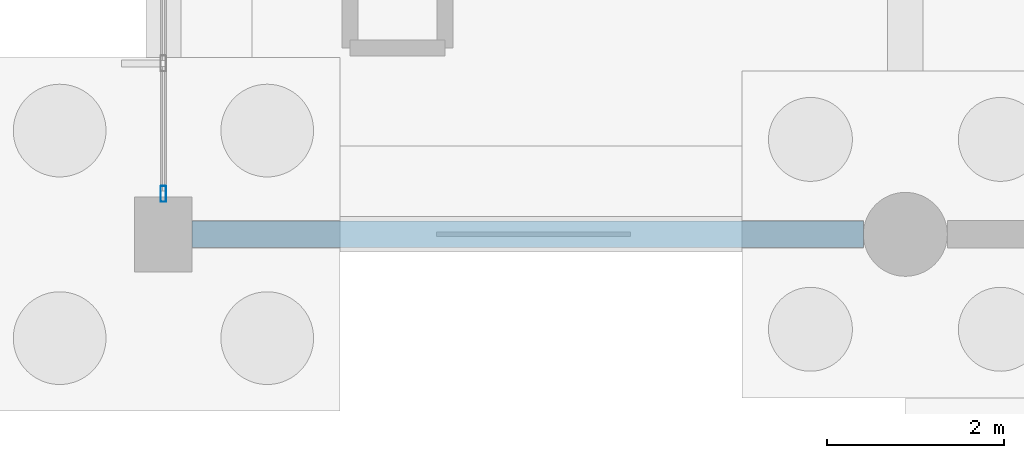
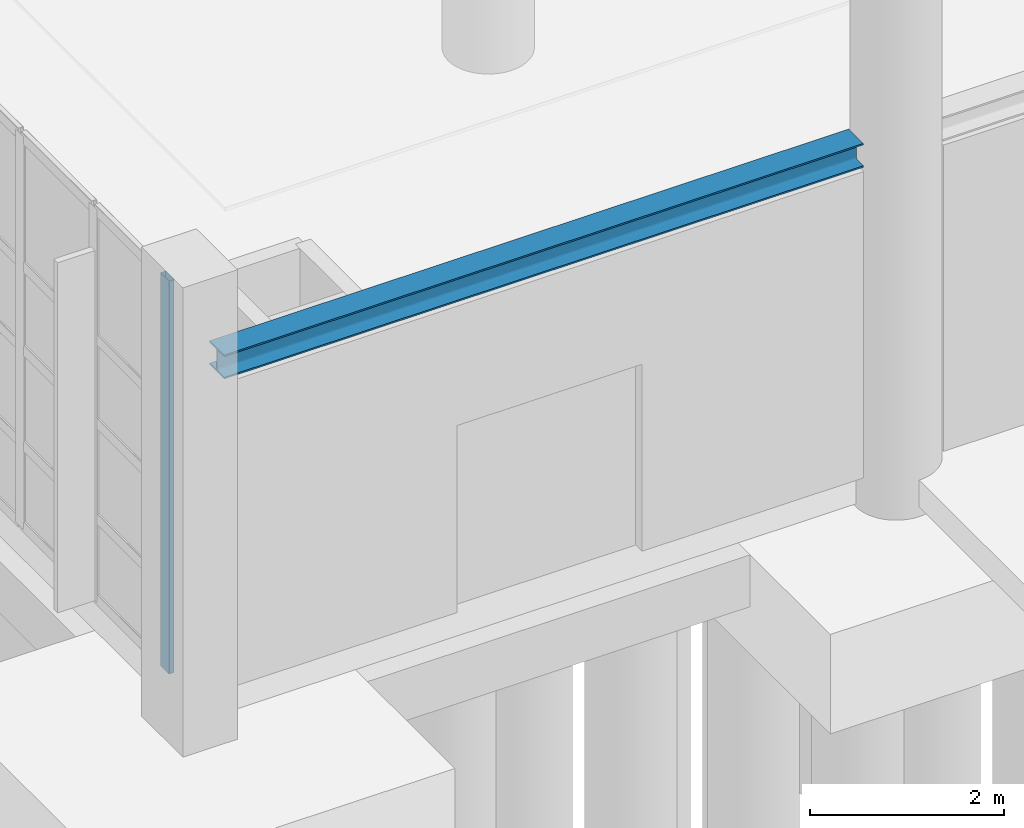
# One storey, part 14 of 83: 1 beam, 1 member, 1 element without a shape of its own.
"""IFC4 building model written with IfcOpenShell, lengths in metres."""

import ifcopenshell
import ifcopenshell.guid

model = None  # the IFC model being written
_history = None  # IfcOwnerHistory: only IFC2X3 demands one
_inside = {}  # id of a spatial element -> (the spatial element, [elements in it])
_under = {}  # id of a project, library or spatial element -> (it, [spatial elements below it])
_declared = {}  # id of a project -> (the project, [libraries it declares])
_typed = {}  # id of a type object -> (the type object, [elements of that type])
_made_of = {}  # id of a material, layer set ... -> (it, [elements and type objects made of it])


def new_model(schema):
    """Start an empty IFC model of exactly this schema.

    Asked for "IFC4X3", IfcOpenShell would pick the latest addendum, in which some entities
    have other attributes; the version numbers below select the first issue.
    IFC2X3 requires an IfcOwnerHistory on every rooted entity: one is made here for all.
    """
    global model, _history
    if schema == "IFC4X3":
        model = ifcopenshell.file(schema_version=(4, 3, 0, 0))
    else:
        model = ifcopenshell.file(schema=schema)
    _inside.clear()
    _under.clear()
    _declared.clear()
    _typed.clear()
    _made_of.clear()
    _history = None
    if model.schema == "IFC2X3":
        org = make("IfcOrganization", Name="unknown")
        user = make(
            "IfcPersonAndOrganization",
            ThePerson=make("IfcPerson", FamilyName="unknown"),
            TheOrganization=org,
        )
        app = make(
            "IfcApplication",
            ApplicationDeveloper=org,
            Version="unknown",
            ApplicationFullName="unknown",
            ApplicationIdentifier="unknown",
        )
        _history = make(
            "IfcOwnerHistory",
            OwningUser=user,
            OwningApplication=app,
            ChangeAction="ADDED",
            CreationDate=0,
        )
    return model


def make(cls, **values):
    """One entity of the class cls with the attributes given. An attribute that is None is left unset."""
    return model.create_entity(
        cls, **{name: value for name, value in values.items() if value is not None}
    )


def rooted(cls, **values):
    """An entity with a GlobalId (a new one), such as an element, a storey or a relation."""
    return make(cls, GlobalId=ifcopenshell.guid.new(), OwnerHistory=_history, **values)


def si_unit(unit_type, name, prefix=None):
    """IfcSIUnit, for example si_unit("LENGTHUNIT", "METRE", prefix="MILLI")."""
    return make("IfcSIUnit", UnitType=unit_type, Prefix=prefix, Name=name)


def assignment(units):
    """IfcUnitAssignment: the units of a project."""
    return None if units is None else make("IfcUnitAssignment", Units=units)


def point(xyz):
    """IfcCartesianPoint."""
    return None if xyz is None else make("IfcCartesianPoint", Coordinates=xyz)


def direction(xyz):
    """IfcDirection."""
    return None if xyz is None else make("IfcDirection", DirectionRatios=xyz)


def frame(location, z_axis=None, x_axis=None):
    """IfcAxis2Placement3D, a coordinate frame: its origin and axes. An axis left out is left unset."""
    return make(
        "IfcAxis2Placement3D",
        Location=point(location),
        Axis=direction(z_axis),
        RefDirection=direction(x_axis),
    )


def frame_2d(location, x_axis=None):
    """IfcAxis2Placement2D, a coordinate frame in the plane: its origin and x axis."""
    return make(
        "IfcAxis2Placement2D", Location=point(location), RefDirection=direction(x_axis)
    )


def origin():
    """The frame at (0, 0, 0) with its axes left unset."""
    return frame((0.0, 0.0, 0.0))


def origin_2d():
    """The frame at (0, 0) in the plane with its x axis left unset."""
    return frame_2d((0.0, 0.0))


def place(relative_to, where):
    """IfcLocalPlacement: puts the frame where relative to a parent placement (None: the world)."""
    return make(
        "IfcLocalPlacement", PlacementRelTo=relative_to, RelativePlacement=where
    )


def context(
    kind, dimensions, precision=None, world=None, true_north=None, identifier=None
):
    """IfcGeometricRepresentationContext, for example the 3D "Model" context."""
    return make(
        "IfcGeometricRepresentationContext",
        ContextIdentifier=identifier,
        ContextType=kind,
        CoordinateSpaceDimension=dimensions,
        Precision=precision,
        WorldCoordinateSystem=world,
        TrueNorth=true_north,
    )


def subcontext(parent, identifier, kind, view, scale=None):
    """IfcGeometricRepresentationSubContext, for example "Body" below "Model"."""
    return make(
        "IfcGeometricRepresentationSubContext",
        ContextIdentifier=identifier,
        ContextType=kind,
        ParentContext=parent,
        TargetScale=scale,
        TargetView=view,
    )


def project(units=None, contexts=None):
    """IfcProject with its units and contexts."""
    return rooted(
        "IfcProject",
        Name="project",
        RepresentationContexts=contexts,
        UnitsInContext=assignment(units),
    )


def spatial(cls, under=None, at=None, **own):
    """A site, building, storey or space (cls), placed at a placement, below another one or the project."""
    s = rooted(cls, ObjectPlacement=at, **own)
    if under is not None:
        _under.setdefault(under.id(), (under, []))[1].append(s)
    return s


def profile(cls, at=None, kind="AREA", **sizes):
    """A parametric profile (cls). Its sizes go by their IFC names, for example OverallWidth=200.0."""
    return make(cls, ProfileType=kind, Position=at, **sizes)


def hollow_rectangle(**sizes):
    """IfcRectangleHollowProfileDef."""
    return profile("IfcRectangleHollowProfileDef", **sizes)


def i_section(**sizes):
    """IfcIShapeProfileDef."""
    return profile("IfcIShapeProfileDef", **sizes)


def extrude(swept, where, along, depth):
    """IfcExtrudedAreaSolid: the profile swept, set in the frame where, extruded along a direction by depth."""
    return make(
        "IfcExtrudedAreaSolid",
        SweptArea=swept,
        Position=where,
        ExtrudedDirection=direction(along),
        Depth=depth,
    )


def shape(context_of_items, identifier, shape_type, items):
    """IfcShapeRepresentation: the items that make up one representation, for example the "Body"."""
    return make(
        "IfcShapeRepresentation",
        ContextOfItems=context_of_items,
        RepresentationIdentifier=identifier,
        RepresentationType=shape_type,
        Items=items,
    )


def material(Name=None, Category=None):
    """IfcMaterial."""
    return make("IfcMaterial", Name=Name, Category=Category)


def layer(
    of_material, thickness, ventilated=None, Name=None, Category=None, Priority=None
):
    """IfcMaterialLayer: one layer of a wall or slab, of a material (None: an air gap)."""
    return make(
        "IfcMaterialLayer",
        Material=of_material,
        LayerThickness=thickness,
        IsVentilated=ventilated,
        Name=Name,
        Category=Category,
        Priority=Priority,
    )


def layer_set(layers, Name=None):
    """IfcMaterialLayerSet."""
    return make("IfcMaterialLayerSet", MaterialLayers=layers, LayerSetName=Name)


def material_profile(
    of_material, cross_section, Name=None, Category=None, Priority=None
):
    """IfcMaterialProfile: a cross section and its material."""
    return make(
        "IfcMaterialProfile",
        Name=Name,
        Material=of_material,
        Profile=cross_section,
        Priority=Priority,
        Category=Category,
    )


def profile_set(profiles, Name=None, composite=None):
    """IfcMaterialProfileSet."""
    return make(
        "IfcMaterialProfileSet",
        Name=Name,
        MaterialProfiles=profiles,
        CompositeProfile=composite,
    )


def made_of(thing, what):
    """Note that an element or type object is made of a material, layer set ...; save() writes the relation."""
    if what is not None:
        _made_of.setdefault(what.id(), (what, []))[1].append(thing)
    return thing


def type_object(cls, material=None, **own):
    """A type object (cls), such as IfcWallType, which elements share."""
    return made_of(rooted(cls, **own), material)


def element(
    cls,
    number,
    at=None,
    inside=None,
    cuts=None,
    type_object=None,
    material=None,
    context=None,
    identifier="Body",
    shape_type=None,
    held_by="IfcProductDefinitionShape",
    body=None,
    shapes=None,
    **own,
):
    """One element of the class cls, such as IfcWall. Its Tag is "e" and its number.

    at: its placement. inside: the storey or other place that contains it. cuts: it is an
    opening in that element (IfcRelVoidsElement). A single representation is given by context,
    identifier, shape_type and body (its items); several are given by shapes. held_by: the class
    of the entity that holds the representations. save() writes the other relations.
    """
    e = rooted(cls, Tag="e%d" % number, ObjectPlacement=at, **own)
    if body is not None:
        shapes = [shape(context, identifier, shape_type, body)]
    if shapes is not None:
        e.Representation = make(held_by, Representations=shapes)
    if inside is not None:
        _inside.setdefault(inside.id(), (inside, []))[1].append(e)
    if cuts is not None:
        rooted(
            "IfcRelVoidsElement", RelatingBuildingElement=cuts, RelatedOpeningElement=e
        )
    if type_object is not None:
        _typed.setdefault(type_object.id(), (type_object, []))[1].append(e)
    return made_of(e, material)


def aggregate(whole, parts):
    """IfcRelAggregates: a whole, such as a stair, and the parts it consists of."""
    return rooted("IfcRelAggregates", RelatingObject=whole, RelatedObjects=parts)


def save(model, path):
    """Write the relations noted so far, then the file.

    IfcRelAggregates (storeys below a building ...), IfcRelContainedInSpatialStructure (elements
    in a storey), IfcRelDefinesByType, IfcRelAssociatesMaterial and IfcRelDeclares: one each for
    every whole, place, type object, material and project.
    """
    for whole, parts in _under.values():
        aggregate(whole, parts)
    for where, things in _inside.values():
        rooted(
            "IfcRelContainedInSpatialStructure",
            RelatedElements=things,
            RelatingStructure=where,
        )
    for kind, things in _typed.values():
        rooted("IfcRelDefinesByType", RelatedObjects=things, RelatingType=kind)
    for what, things in _made_of.values():
        rooted("IfcRelAssociatesMaterial", RelatedObjects=things, RelatingMaterial=what)
    for by, libraries in _declared.values():
        rooted("IfcRelDeclares", RelatingContext=by, RelatedDefinitions=libraries)
    model.write(path)


model = new_model("IFC4")

# Units and contexts
model_context = context("Model", 3, precision=1e-05, world=origin(), true_north=direction((0.0, 1.0)))
body_context = subcontext(model_context, "Body", "Model", "MODEL_VIEW")
ifc_project = project(units=[si_unit("LENGTHUNIT", "METRE"), si_unit("AREAUNIT", "SQUARE_METRE"), si_unit("VOLUMEUNIT", "CUBIC_METRE"), si_unit("PLANEANGLEUNIT", "RADIAN"), si_unit("MASSUNIT", "GRAM", prefix="KILO"), si_unit("THERMODYNAMICTEMPERATUREUNIT", "KELVIN"), si_unit("POWERUNIT", "WATT")], contexts=[model_context])

# Site, building, storey
site_placement = place(None, origin())
site = spatial("IfcSite", under=ifc_project, at=site_placement, CompositionType="ELEMENT")
building_placement = place(site_placement, origin())
building = spatial("IfcBuilding", under=site, at=building_placement, Name="Mavoryth Pier Ferry Terminal", CompositionType="ELEMENT")
storey_placement = place(building_placement, origin())
storey = spatial("IfcBuildingStorey", under=building, at=storey_placement, Name="L00", CompositionType="ELEMENT", Elevation=0.0)

# Beam
ifc_material_1 = material(Name="Steel S355J2", Category="steel")
ifc_material_profile_1 = material_profile(ifc_material_1, i_section(OverallWidth=0.300048828125, OverallDepth=0.300048828125, WebThickness=0.010986328125, FlangeThickness=0.01904296875, FilletRadius=0.027099609375, at=origin_2d()), Name="HEB 300", Category="steel")
ifc_profile_set_1 = profile_set([ifc_material_profile_1], Name="Steel S355J2 - HEB 300")
beam_type = type_object("IfcBeamType", Name="Lintel-Steel-HEB300", PredefinedType="LINTEL", material=ifc_profile_set_1)
beam_placement = place(storey_placement, frame((0.324951171875, 22.0, 4.050048828125), z_axis=(1.0, 0.0, 0.0), x_axis=(0.0, 1.0, 0.0)))
element("IfcBeam", 1, at=beam_placement, inside=storey, type_object=beam_type, Name="Beam B00-LN01-1604", PredefinedType="LINTEL", context=body_context, shape_type="SweptSolid", body=[
    extrude(i_section(OverallWidth=0.300048828125, OverallDepth=0.300048828125, WebThickness=0.010986328125, FlangeThickness=0.01904296875, FilletRadius=0.027099609375, at=origin_2d()), origin(), (0.0, 0.0, 1.0), 7.60009765625),
])

# Curtain wall, member
ifc_material_2 = material(Name="Anodised Aluminium and Solar-Control Low-E Glass", Category="aluminium")
ifc_layer = layer(ifc_material_2, 0.179931640625, Name="Anodised Aluminium and Solar-Control Low-E Glass", Category="aluminium")
ifc_layer_set = layer_set([ifc_layer], Name="Anodised Aluminium and Solar-Control Low-E Glass - CW-Concourse-Mod1400")
curtain_wall_type = type_object("IfcCurtainWallType", Name="CW-Concourse-Mod1400", PredefinedType="USERDEFINED", material=ifc_layer_set)
curtain_wall_placement = place(storey_placement, origin())
curtain_wall = element("IfcCurtainWall", 2, at=curtain_wall_placement, inside=storey, type_object=curtain_wall_type, Name="Curtain Wall CW-0033-001", ObjectType="UNITISED CURTAIN WALL", PredefinedType="USERDEFINED")
ifc_material_3 = material(Name="Anodised Aluminium EN AW-6063", Category="aluminium")
ifc_material_profile_2 = material_profile(ifc_material_3, hollow_rectangle(XDim=0.06494140625, YDim=0.179931640625, WallThickness=0.00390625, InnerFilletRadius=0.00390625, OuterFilletRadius=0.008056640625, at=origin_2d()), Name="AL-MULL 180x65x4", Category="aluminium")
ifc_profile_set_2 = profile_set([ifc_material_profile_2], Name="Anodised Aluminium EN AW-6063 - AL-MULL 180x65x4")
member_type = type_object("IfcMemberType", Name="Mullion-Alum-180x65", PredefinedType="MULLION", material=ifc_profile_set_2)
member_placement = place(storey_placement, frame((0.0, 22.45751953125, 0.0), z_axis=(0.0, 0.0, 1.0), x_axis=(1.0, 0.0, 0.0)))
member = element("IfcMember", 3, at=member_placement, type_object=member_type, Name="CW01 mullion 6", PredefinedType="MULLION", context=body_context, shape_type="SweptSolid", body=[
    extrude(hollow_rectangle(XDim=0.06494140625, YDim=0.179931640625, WallThickness=0.00390625, InnerFilletRadius=0.00390625, OuterFilletRadius=0.008056640625, at=origin_2d()), origin(), (0.0, 0.0, 1.0), 4.93994140625),
])
aggregate(curtain_wall, [member])

save(model, "model.ifc")
